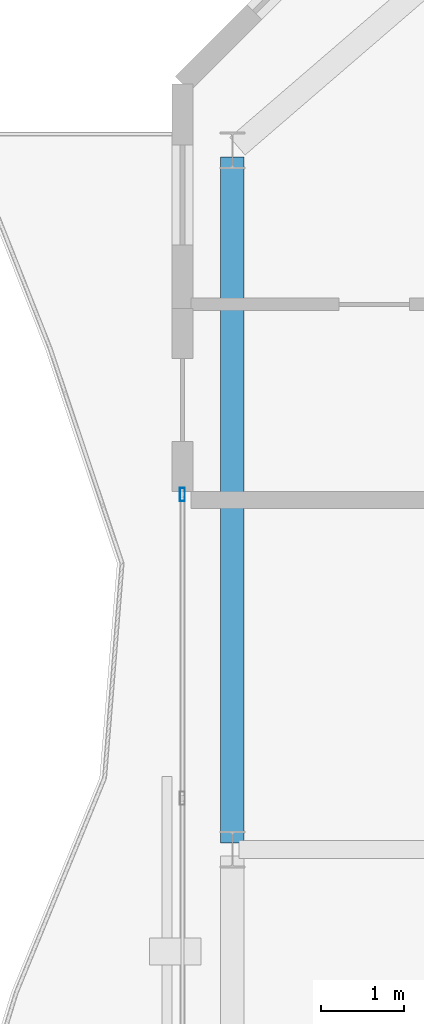
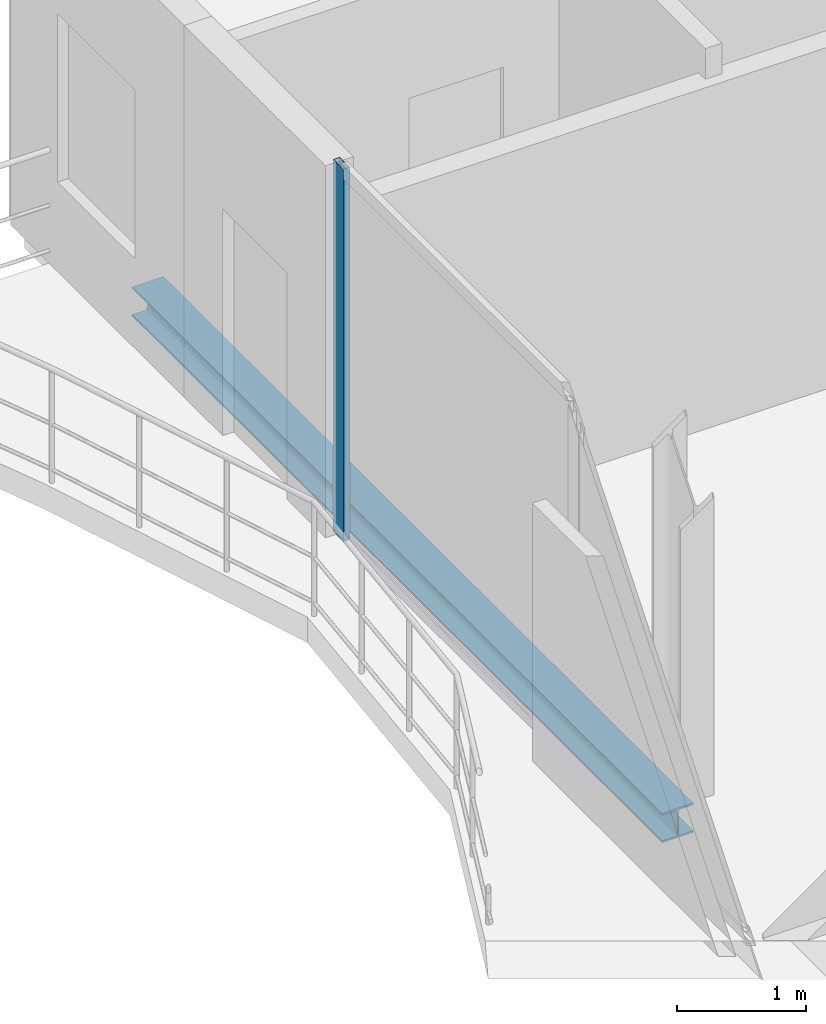
# One storey, part 12 of 24: 1 beam, 1 member, 1 element without a shape of its own.
"""IFC4 building model written with IfcOpenShell, lengths in metres."""

from ifc_helpers import new_model, si_unit, direction, frame, origin, origin_2d, place, context, subcontext, project, spatial, hollow_rectangle, i_section, extrude, material, layer, layer_set, material_profile, profile_set, type_object, element, aggregate, save


model = new_model("IFC4")

# Units and contexts
model_context = context("Model", 3, precision=1e-05, world=origin(), true_north=direction((0.0, 1.0)))
body_context = subcontext(model_context, "Body", "Model", "MODEL_VIEW")
ifc_project = project(units=[si_unit("LENGTHUNIT", "METRE"), si_unit("AREAUNIT", "SQUARE_METRE"), si_unit("VOLUMEUNIT", "CUBIC_METRE"), si_unit("PLANEANGLEUNIT", "RADIAN"), si_unit("MASSUNIT", "GRAM", prefix="KILO")], contexts=[model_context])

# Site, building, storey
site_placement = place(None, origin())
site = spatial("IfcSite", under=ifc_project, at=site_placement, CompositionType="ELEMENT")
building_placement = place(site_placement, origin())
building = spatial("IfcBuilding", under=site, at=building_placement, Name="Catumbela Crestline Tower", CompositionType="ELEMENT")
storey_placement = place(building_placement, frame((0.0, 0.0, 237.4)))
storey = spatial("IfcBuildingStorey", under=building, at=storey_placement, Name="L61", CompositionType="ELEMENT", Elevation=237.4)

# Curtain wall, member
ifc_material_1 = material(Name="Aluminium alloy AW-6060-T66", Category="aluminium")
ifc_layer = layer(ifc_material_1, 0.18, Name="Aluminium alloy AW-6060-T66")
ifc_layer_set = layer_set([ifc_layer], Name="Aluminium alloy AW-6060-T66")
curtain_wall_type = type_object("IfcCurtainWallType", Name="CWU-Z4", PredefinedType="USERDEFINED", material=ifc_layer_set)
curtain_wall_placement = place(storey_placement, origin())
curtain_wall = element("IfcCurtainWall", 1, at=curtain_wall_placement, inside=storey, type_object=curtain_wall_type, Name="L61 Unitised Curtain Wall CW-L61-E9S2", ObjectType="UNITISED", PredefinedType="USERDEFINED")
ifc_material_profile_1 = material_profile(ifc_material_1, hollow_rectangle(XDim=0.06, YDim=0.16, WallThickness=0.004, at=origin_2d()), Name="ALU 160x60x4")
ifc_profile_set_1 = profile_set([ifc_material_profile_1], Name="Aluminium alloy AW-6060-T66")
member_type = type_object("IfcMemberType", Name="MUL-160X60", PredefinedType="MULLION", material=ifc_profile_set_1)
member_placement = place(storey_placement, frame((5.0, 35.0675, 0.0), z_axis=(0.0, 0.0, 1.0), x_axis=(1.0, 0.0, 0.0)))
member = element("IfcMember", 2, at=member_placement, type_object=member_type, Name="CWU-Z4 mullion 1", PredefinedType="MULLION", context=body_context, shape_type="SweptSolid", body=[
    extrude(hollow_rectangle(XDim=0.06, YDim=0.16, WallThickness=0.004, at=origin_2d()), origin(), (0.0, 0.0, 1.0), 3.53),
])
aggregate(curtain_wall, [member])

# Beam
ifc_material_2 = material(Name="Structural steel S355J2", Category="steel")
ifc_material_profile_2 = material_profile(ifc_material_2, i_section(OverallWidth=0.28, OverallDepth=0.28, WebThickness=0.0105, FlangeThickness=0.018, FilletRadius=0.024, at=origin_2d()), Name="HEB 280")
ifc_profile_set_2 = profile_set([ifc_material_profile_2], Name="Structural steel S355J2")
beam_type = type_object("IfcBeamType", Name="BS-HEB280", PredefinedType="SPANDREL", material=ifc_profile_set_2)
beam_placement = place(storey_placement, frame((5.6, 30.88, -0.4), z_axis=(0.0, 1.0, 0.0), x_axis=(-1.0, 0.0, 0.0)))
element("IfcBeam", 3, at=beam_placement, inside=storey, type_object=beam_type, Name="L61 Spandrel SP-L61-SN13", PredefinedType="SPANDREL", context=body_context, shape_type="SweptSolid", body=[
    extrude(i_section(OverallWidth=0.28, OverallDepth=0.28, WebThickness=0.0105, FlangeThickness=0.018, FilletRadius=0.024, at=origin_2d()), origin(), (0.0, 0.0, 1.0), 8.24),
])

save(model, "model.ifc")
